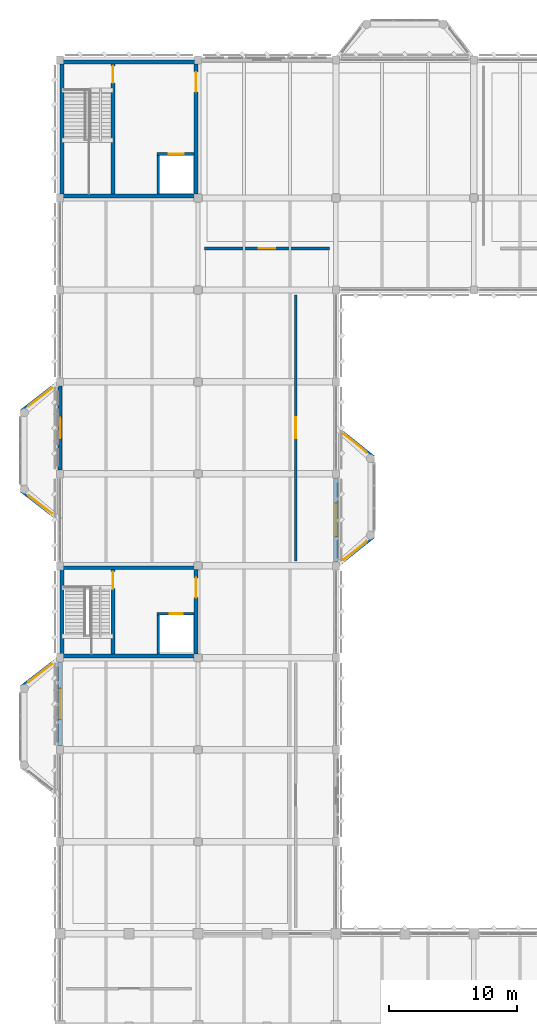
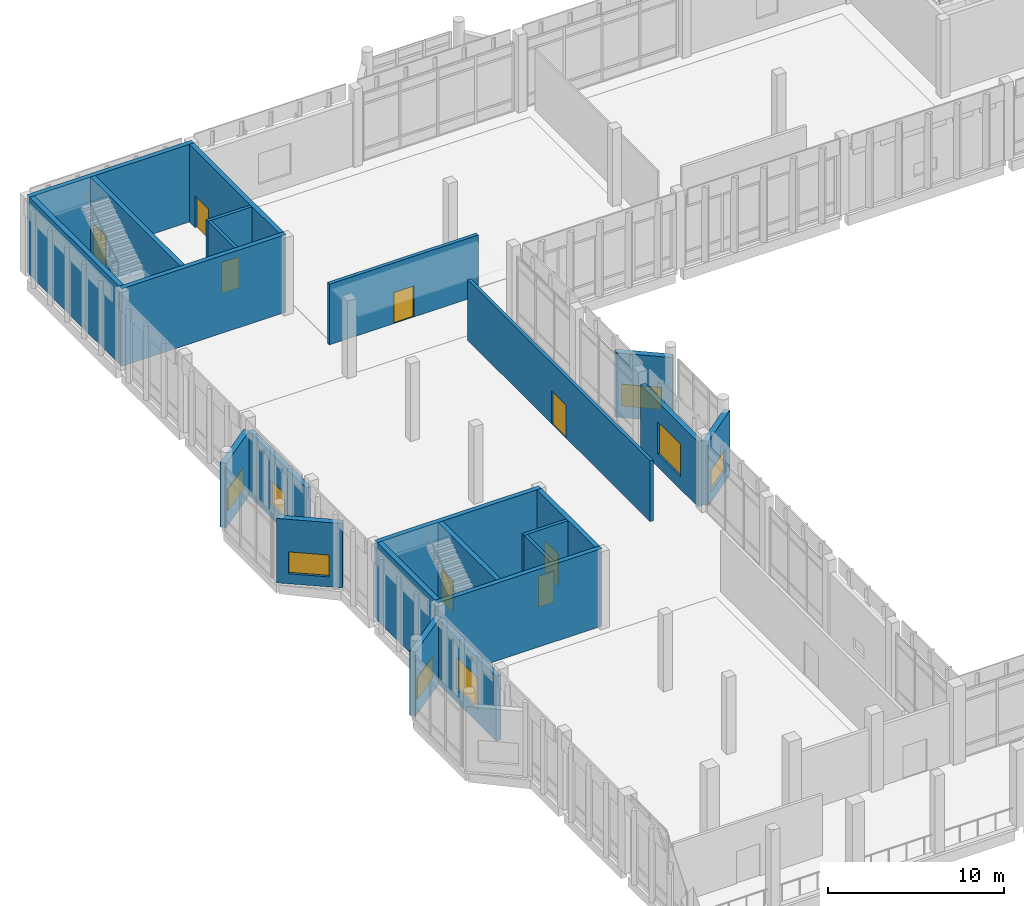
# One storey, part 158 of 180: 24 walls, 8 doors, 8 windows, 16 openings.
"""IFC4 building model written with IfcOpenShell, lengths in metres."""

from ifc_helpers import new_model, si_unit, direction, frame, frame_2d, origin, place, context, subcontext, project, spatial, rectangle, extrude, material, layer, layer_set, type_object, element, fill, save


model = new_model("IFC4")

# Units and contexts
model_context = context("Model", 3, precision=1e-05, world=origin(), true_north=direction((0.0, 1.0)))
body_context = subcontext(model_context, "Body", "Model", "MODEL_VIEW")
ifc_project = project(units=[si_unit("LENGTHUNIT", "METRE"), si_unit("AREAUNIT", "SQUARE_METRE"), si_unit("VOLUMEUNIT", "CUBIC_METRE"), si_unit("PLANEANGLEUNIT", "RADIAN"), si_unit("MASSUNIT", "GRAM", prefix="KILO")], contexts=[model_context])

# Site, building, storey
site_placement = place(None, origin())
site = spatial("IfcSite", under=ifc_project, at=site_placement, CompositionType="ELEMENT")
building_placement = place(site_placement, origin())
building = spatial("IfcBuilding", under=site, at=building_placement, Name="Lusvemor Sports Hall", CompositionType="ELEMENT")
storey_placement = place(building_placement, frame((0.0, 0.0, 5.39990234375)))
storey = spatial("IfcBuildingStorey", under=building, at=storey_placement, Name="L01", CompositionType="ELEMENT", Elevation=5.39990234375)

# Wall, opening, window
ifc_material_1 = material(Name="Emerald polychrome glazed ceramic cladding on Concrete C40/50 backing", Category="concrete")
ifc_layer_1 = layer(ifc_material_1, 0.364990234375)
ifc_layer_set_1 = layer_set([ifc_layer_1], Name="Emerald polychrome glazed ceramic cladding on Concrete C40/50 backing")
wall_type_1 = type_object("IfcWallType", Name="EW_WAVE_CER_365", PredefinedType="STANDARD", material=ifc_layer_set_1)
wall_1_placement = place(storey_placement, frame((-3.005126953125, 66.073486328125, 0.0), z_axis=(0.0, 0.0, 1.0), x_axis=(0.790740760184, 0.612151166122, 0.0)))
wall_1 = element("IfcWall", 1, at=wall_1_placement, inside=storey, type_object=wall_type_1, Name="Art Nouveau Bow Wall EW-BOW-W1-L01-3", PredefinedType="STANDARD", context=body_context, shape_type="SweptSolid", body=[
    extrude(rectangle(XDim=3.80029296875, YDim=0.364990234375, at=frame_2d((1.900146484375, 0.0))), origin(), (0.0, 0.0, 1.0), 4.47998046875),
])
opening_1_placement = place(wall_1_placement, frame((0.679931640625, 0.0, 0.699951171875)))
opening_1 = element("IfcOpeningElement", 2, at=opening_1_placement, cuts=wall_1, Name="Opening WN21", PredefinedType="OPENING", context=body_context, shape_type="SweptSolid", body=[
    extrude(rectangle(XDim=2.320068359375, YDim=1.52001953125, at=frame_2d((1.16015625, 0.760009765625))), frame((0.0, 0.1826171875, 0.0), z_axis=(0.0, -1.0, 0.0), x_axis=(1.0, 0.0, 0.0)), (0.0, 0.0, 1.0), 0.364990234375),
])
ifc_material_2 = material(Name="Solar-control laminated double glazing", Category="glass")
window_type_1 = type_object("IfcWindowType", Name="WIN_21", PartitioningType="SINGLE_PANEL", PredefinedType="WINDOW", material=ifc_material_2)
window_1_placement = place(opening_1_placement, origin())
window_1 = element("IfcWindow", 3, at=window_1_placement, inside=storey, type_object=window_type_1, Name="Art Nouveau Bow Window BOW-W1 L01-3", OverallHeight=1.52001953125, OverallWidth=2.320068359375, PartitioningType="SINGLE_PANEL", PredefinedType="WINDOW", context=body_context, shape_type="SweptSolid", body=[
    extrude(rectangle(XDim=2.320068359375, YDim=1.52001953125, at=frame_2d((1.16015625, 0.760009765625))), frame((0.0, 0.030029296875, 0.0), z_axis=(0.0, -1.0, 0.0), x_axis=(1.0, 0.0, 0.0)), (0.0, 0.0, 1.0), 0.06005859375),
])
fill(opening_1, window_1)

wall_2_placement = place(storey_placement, frame((-0.009765625, 79.20751953125, 0.0), z_axis=(0.0, 0.0, 1.0), x_axis=(-0.790710624982, 0.612190091018, 0.0)))
wall_2 = element("IfcWall", 4, at=wall_2_placement, inside=storey, type_object=wall_type_1, Name="Art Nouveau Bow Wall EW-BOW-W2-L01-1", PredefinedType="STANDARD", context=body_context, shape_type="SweptSolid", body=[
    extrude(rectangle(XDim=3.7880859375, YDim=0.364990234375, at=frame_2d((1.89404296875, 0.0))), origin(), (0.0, 0.0, 1.0), 4.47998046875),
])
opening_2_placement = place(wall_2_placement, frame((0.78759765625, 0.0, 0.699951171875)))
opening_2 = element("IfcOpeningElement", 5, at=opening_2_placement, cuts=wall_2, Name="Opening WN21", PredefinedType="OPENING", context=body_context, shape_type="SweptSolid", body=[
    extrude(rectangle(XDim=2.320068359375, YDim=1.52001953125, at=frame_2d((1.16015625, 0.760009765625))), frame((0.0, 0.1826171875, 0.0), z_axis=(0.0, -1.0, 0.0), x_axis=(1.0, 0.0, 0.0)), (0.0, 0.0, 1.0), 0.364990234375),
])
window_2_placement = place(opening_2_placement, origin())
window_2 = element("IfcWindow", 6, at=window_2_placement, inside=storey, type_object=window_type_1, Name="Art Nouveau Bow Window BOW-W2 L01-1", OverallHeight=1.52001953125, OverallWidth=2.320068359375, PartitioningType="SINGLE_PANEL", PredefinedType="WINDOW", context=body_context, shape_type="SweptSolid", body=[
    extrude(rectangle(XDim=2.320068359375, YDim=1.52001953125, at=frame_2d((1.16015625, 0.760009765625))), frame((0.0, 0.030029296875, 0.0), z_axis=(0.0, -1.0, 0.0), x_axis=(1.0, 0.0, 0.0)), (0.0, 0.0, 1.0), 0.06005859375),
])
fill(opening_2, window_2)

wall_3_placement = place(storey_placement, frame((-3.005126953125, 87.673583984375, 0.0), z_axis=(0.0, 0.0, 1.0), x_axis=(0.790756898757, 0.612130318696, 0.0)))
wall_3 = element("IfcWall", 7, at=wall_3_placement, inside=storey, type_object=wall_type_1, Name="Art Nouveau Bow Wall EW-BOW-W2-L01-3", PredefinedType="STANDARD", context=body_context, shape_type="SweptSolid", body=[
    extrude(rectangle(XDim=3.560302734375, YDim=0.364990234375, at=frame_2d((1.7802734375, 0.0))), origin(), (0.0, 0.0, 1.0), 4.47998046875),
])
opening_3_placement = place(wall_3_placement, frame((0.679931640625, 0.0, 0.699951171875)))
opening_3 = element("IfcOpeningElement", 8, at=opening_3_placement, cuts=wall_3, Name="Opening WN21", PredefinedType="OPENING", context=body_context, shape_type="SweptSolid", body=[
    extrude(rectangle(XDim=2.320068359375, YDim=1.52001953125, at=frame_2d((1.16015625, 0.760009765625))), frame((0.0, 0.1826171875, 0.0), z_axis=(0.0, -1.0, 0.0), x_axis=(1.0, 0.0, 0.0)), (0.0, 0.0, 1.0), 0.364990234375),
])
window_3_placement = place(opening_3_placement, origin())
window_3 = element("IfcWindow", 9, at=window_3_placement, inside=storey, type_object=window_type_1, Name="Art Nouveau Bow Window BOW-W2 L01-3", OverallHeight=1.52001953125, OverallWidth=2.320068359375, PartitioningType="SINGLE_PANEL", PredefinedType="WINDOW", context=body_context, shape_type="SweptSolid", body=[
    extrude(rectangle(XDim=2.320068359375, YDim=1.52001953125, at=frame_2d((1.16015625, 0.760009765625))), frame((0.0, 0.030029296875, 0.0), z_axis=(0.0, -1.0, 0.0), x_axis=(1.0, 0.0, 0.0)), (0.0, 0.0, 1.0), 0.06005859375),
])
fill(opening_3, window_3)

wall_4_placement = place(storey_placement, frame((21.896728515625, 86.16259765625, 0.0), z_axis=(0.0, 0.0, 1.0), x_axis=(0.780875936628, -0.62468613847, 0.0)))
wall_4 = element("IfcWall", 10, at=wall_4_placement, inside=storey, type_object=wall_type_1, Name="Art Nouveau Bow Wall EW-BOW-CT-L01-1", PredefinedType="STANDARD", context=body_context, shape_type="SweptSolid", body=[
    extrude(rectangle(XDim=3.341796875, YDim=0.364990234375, at=frame_2d((1.6708984375, 0.0))), origin(), (0.0, 0.0, 1.0), 4.47998046875),
])
opening_4_placement = place(wall_4_placement, frame((0.381103515625, 0.0, 0.699951171875)))
opening_4 = element("IfcOpeningElement", 11, at=opening_4_placement, cuts=wall_4, Name="Opening WN21", PredefinedType="OPENING", context=body_context, shape_type="SweptSolid", body=[
    extrude(rectangle(XDim=2.320068359375, YDim=1.52001953125, at=frame_2d((1.16015625, 0.760009765625))), frame((0.0, 0.1826171875, 0.0), z_axis=(0.0, -1.0, 0.0), x_axis=(1.0, 0.0, 0.0)), (0.0, 0.0, 1.0), 0.364990234375),
])
window_4_placement = place(opening_4_placement, origin())
window_4 = element("IfcWindow", 12, at=window_4_placement, inside=storey, type_object=window_type_1, Name="Art Nouveau Bow Window BOW-CT L01-1", OverallHeight=1.52001953125, OverallWidth=2.320068359375, PartitioningType="SINGLE_PANEL", PredefinedType="WINDOW", context=body_context, shape_type="SweptSolid", body=[
    extrude(rectangle(XDim=2.320068359375, YDim=1.52001953125, at=frame_2d((1.16015625, 0.760009765625))), frame((0.0, 0.030029296875, 0.0), z_axis=(0.0, -1.0, 0.0), x_axis=(1.0, 0.0, 0.0)), (0.0, 0.0, 1.0), 0.06005859375),
])
fill(opening_4, window_4)

wall_5_placement = place(storey_placement, frame((24.50634765625, 77.925048828125, 0.0), z_axis=(0.0, 0.0, 1.0), x_axis=(-0.780875936628, -0.62468613847, 0.0)))
wall_5 = element("IfcWall", 13, at=wall_5_placement, inside=storey, type_object=wall_type_1, Name="Art Nouveau Bow Wall EW-BOW-CT-L01-3", PredefinedType="STANDARD", context=body_context, shape_type="SweptSolid", body=[
    extrude(rectangle(XDim=3.341796875, YDim=0.364990234375, at=frame_2d((1.6708984375, 0.0))), origin(), (0.0, 0.0, 1.0), 4.47998046875),
])
opening_5_placement = place(wall_5_placement, frame((0.64111328125, 0.0, 0.699951171875)))
opening_5 = element("IfcOpeningElement", 14, at=opening_5_placement, cuts=wall_5, Name="Opening WN21", PredefinedType="OPENING", context=body_context, shape_type="SweptSolid", body=[
    extrude(rectangle(XDim=2.320068359375, YDim=1.52001953125, at=frame_2d((1.16015625, 0.760009765625))), frame((0.0, 0.1826171875, 0.0), z_axis=(0.0, -1.0, 0.0), x_axis=(1.0, 0.0, 0.0)), (0.0, 0.0, 1.0), 0.364990234375),
])
window_5_placement = place(opening_5_placement, origin())
window_5 = element("IfcWindow", 15, at=window_5_placement, inside=storey, type_object=window_type_1, Name="Art Nouveau Bow Window BOW-CT L01-3", OverallHeight=1.52001953125, OverallWidth=2.320068359375, PartitioningType="SINGLE_PANEL", PredefinedType="WINDOW", context=body_context, shape_type="SweptSolid", body=[
    extrude(rectangle(XDim=2.320068359375, YDim=1.52001953125, at=frame_2d((1.16015625, 0.760009765625))), frame((0.0, 0.030029296875, 0.0), z_axis=(0.0, -1.0, 0.0), x_axis=(1.0, 0.0, 0.0)), (0.0, 0.0, 1.0), 0.06005859375),
])
fill(opening_5, window_5)

ifc_material_3 = material(Name="Warm terracotta Art Nouveau ceramic cladding on Concrete C40/50 backing", Category="masonry")
ifc_layer_2 = layer(ifc_material_3, 0.31494140625)
ifc_layer_set_2 = layer_set([ifc_layer_2], Name="Warm terracotta Art Nouveau ceramic cladding on Concrete C40/50 backing")
wall_type_2 = type_object("IfcWallType", Name="EW_WING_CAV_315", PredefinedType="STANDARD", material=ifc_layer_set_2)
wall_6_placement = place(storey_placement, frame((0.0, 61.51611328125, 0.0), z_axis=(0.0, 0.0, 1.0), x_axis=(0.0, 1.0, 0.0)))
wall_6 = element("IfcWall", 16, at=wall_6_placement, inside=storey, type_object=wall_type_2, Name="Exterior Wall EW-L01-W-0-2", PredefinedType="STANDARD", context=body_context, shape_type="SweptSolid", body=[
    extrude(rectangle(XDim=6.56787109375, YDim=0.31494140625, at=frame_2d((3.283935546875, 0.0))), origin(), (0.0, 0.0, 1.0), 4.51513671875),
])
opening_6_placement = place(wall_6_placement, frame((2.073974609375, 0.0, 0.89990234375)))
opening_6 = element("IfcOpeningElement", 17, at=opening_6_placement, cuts=wall_6, Name="Opening WN08", PredefinedType="OPENING", context=body_context, shape_type="SweptSolid", body=[
    extrude(rectangle(XDim=2.419921875, YDim=2.219970703125, at=frame_2d((1.2099609375, 1.10986328125))), frame((0.0, 0.157470703125, 0.0), z_axis=(0.0, -1.0, 0.0), x_axis=(1.0, 0.0, 0.0)), (0.0, 0.0, 1.0), 0.31494140625),
])
ifc_material_4 = material(Name="Solar-control laminated double glazing", Category="glass")
window_type_2 = type_object("IfcWindowType", Name="WIN_08", PartitioningType="SINGLE_PANEL", PredefinedType="WINDOW", material=ifc_material_4)
window_6_placement = place(opening_6_placement, origin())
window_6 = element("IfcWindow", 18, at=window_6_placement, inside=storey, type_object=window_type_2, Name="Wing Window L01-W-0-2", OverallHeight=2.219970703125, OverallWidth=2.419921875, PartitioningType="SINGLE_PANEL", PredefinedType="WINDOW", context=body_context, shape_type="SweptSolid", body=[
    extrude(rectangle(XDim=2.419921875, YDim=2.219970703125, at=frame_2d((1.2099609375, 1.10986328125))), frame((0.0, 0.030029296875, 0.0), z_axis=(0.0, -1.0, 0.0), x_axis=(1.0, 0.0, 0.0)), (0.0, 0.0, 1.0), 0.06005859375),
])
fill(opening_6, window_6)

wall_7_placement = place(storey_placement, frame((0.0, 83.115966796875, 0.0), z_axis=(0.0, 0.0, 1.0), x_axis=(0.0, 1.0, 0.0)))
wall_7 = element("IfcWall", 19, at=wall_7_placement, inside=storey, type_object=wall_type_2, Name="Exterior Wall EW-L01-W-0-5", PredefinedType="STANDARD", context=body_context, shape_type="SweptSolid", body=[
    extrude(rectangle(XDim=6.568115234375, YDim=0.31494140625, at=frame_2d((3.2841796875, 0.0))), origin(), (0.0, 0.0, 1.0), 4.51513671875),
])
opening_7_placement = place(wall_7_placement, frame((2.47412109375, 0.0, 0.89990234375)))
opening_7 = element("IfcOpeningElement", 20, at=opening_7_placement, cuts=wall_7, Name="Opening WN11", PredefinedType="OPENING", context=body_context, shape_type="SweptSolid", body=[
    extrude(rectangle(XDim=1.6201171875, YDim=1.719970703125, at=frame_2d((0.81005859375, 0.85986328125))), frame((0.0, 0.157470703125, 0.0), z_axis=(0.0, -1.0, 0.0), x_axis=(1.0, 0.0, 0.0)), (0.0, 0.0, 1.0), 0.31494140625),
])
ifc_material_5 = material(Name="Solar-control laminated double glazing", Category="glass")
window_type_3 = type_object("IfcWindowType", Name="WIN_11", PartitioningType="SINGLE_PANEL", PredefinedType="WINDOW", material=ifc_material_5)
window_7_placement = place(opening_7_placement, origin())
window_7 = element("IfcWindow", 21, at=window_7_placement, inside=storey, type_object=window_type_3, Name="Wing Window L01-W-0-5", OverallHeight=1.719970703125, OverallWidth=1.6201171875, PartitioningType="SINGLE_PANEL", PredefinedType="WINDOW", context=body_context, shape_type="SweptSolid", body=[
    extrude(rectangle(XDim=1.6201171875, YDim=1.719970703125, at=frame_2d((0.81005859375, 0.85986328125))), frame((0.0, 0.030029296875, 0.0), z_axis=(0.0, -1.0, 0.0), x_axis=(1.0, 0.0, 0.0)), (0.0, 0.0, 1.0), 0.06005859375),
])
fill(opening_7, window_7)

wall_8_placement = place(storey_placement, frame((21.60009765625, 82.48388671875, 0.0), z_axis=(0.0, 0.0, 1.0), x_axis=(0.0, -1.0, 0.0)))
wall_8 = element("IfcWall", 22, at=wall_8_placement, inside=storey, type_object=wall_type_2, Name="Exterior Wall EW-L01-E-4-4", PredefinedType="STANDARD", context=body_context, shape_type="SweptSolid", body=[
    extrude(rectangle(XDim=6.56787109375, YDim=0.31494140625, at=frame_2d((3.283935546875, 0.0))), origin(), (0.0, 0.0, 1.0), 4.51513671875),
])
opening_8_placement = place(wall_8_placement, frame((1.97412109375, 0.0, 0.89990234375)))
opening_8 = element("IfcOpeningElement", 23, at=opening_8_placement, cuts=wall_8, Name="Opening WN18", PredefinedType="OPENING", context=body_context, shape_type="SweptSolid", body=[
    extrude(rectangle(XDim=2.6201171875, YDim=2.239990234375, at=frame_2d((1.31005859375, 1.1201171875))), frame((0.0, 0.157470703125, 0.0), z_axis=(0.0, -1.0, 0.0), x_axis=(1.0, 0.0, 0.0)), (0.0, 0.0, 1.0), 0.31494140625),
])
ifc_material_6 = material(Name="Solar-control laminated double glazing", Category="glass")
window_type_4 = type_object("IfcWindowType", Name="WIN_18", PartitioningType="SINGLE_PANEL", PredefinedType="WINDOW", material=ifc_material_6)
window_8_placement = place(opening_8_placement, origin())
window_8 = element("IfcWindow", 24, at=window_8_placement, inside=storey, type_object=window_type_4, Name="Wing Window L01-E-4-4", OverallHeight=2.239990234375, OverallWidth=2.6201171875, PartitioningType="SINGLE_PANEL", PredefinedType="WINDOW", context=body_context, shape_type="SweptSolid", body=[
    extrude(rectangle(XDim=2.6201171875, YDim=2.239990234375, at=frame_2d((1.31005859375, 1.1201171875))), frame((0.0, 0.030029296875, 0.0), z_axis=(0.0, -1.0, 0.0), x_axis=(1.0, 0.0, 0.0)), (0.0, 0.0, 1.0), 0.06005859375),
])
fill(opening_8, window_8)

# Wall, opening, door
ifc_material_7 = material(Name="Double-leaf acoustic gypsum board on metal studs")
ifc_layer_3 = layer(ifc_material_7, 0.199951171875)
ifc_layer_set_3 = layer_set([ifc_layer_3], Name="Double-leaf acoustic gypsum board on metal studs")
wall_type_3 = type_object("IfcWallType", Name="IW_ACOUST_202", PredefinedType="STANDARD", material=ifc_layer_set_3)
wall_9_placement = place(storey_placement, frame((18.449951171875, 76.0, 0.0), z_axis=(0.0, 0.0, 1.0), x_axis=(0.0, 1.0, 0.0)))
wall_9 = element("IfcWall", 25, at=wall_9_placement, inside=storey, type_object=wall_type_3, Name="Partition IW-L01-W-MART1", PredefinedType="STANDARD", context=body_context, shape_type="SweptSolid", body=[
    extrude(rectangle(XDim=20.800048828125, YDim=0.199951171875, at=frame_2d((10.39990234375, 0.0))), origin(), (0.0, 0.0, 1.0), 4.22021484375),
])
opening_9_placement = place(wall_9_placement, frame((9.580078125, 0.0, 0.0)))
opening_9 = element("IfcOpeningElement", 26, at=opening_9_placement, cuts=wall_9, Name="Opening ID20", PredefinedType="OPENING", context=body_context, shape_type="SweptSolid", body=[
    extrude(rectangle(XDim=1.639892578125, YDim=2.280029296875, at=frame_2d((0.81982421875, 1.14013671875))), frame((0.0, 0.10009765625, 0.0), z_axis=(0.0, -1.0, 0.0), x_axis=(1.0, 0.0, 0.0)), (0.0, 0.0, 1.0), 0.199951171875),
])
ifc_material_8 = material(Name="Acoustic solid-core hardwood door leaf in steel frame", Category="steel")
door_type_1 = type_object("IfcDoorType", Name="IDR_MART_164", OperationType="NOTDEFINED", PredefinedType="DOOR", material=ifc_material_8)
door_1_placement = place(opening_9_placement, origin())
door_1 = element("IfcDoor", 27, at=door_1_placement, inside=storey, type_object=door_type_1, Name="DR-178", OperationType="SINGLE_SWING_RIGHT", OverallHeight=2.280029296875, OverallWidth=1.639892578125, PredefinedType="DOOR", context=body_context, shape_type="SweptSolid", body=[
    extrude(rectangle(XDim=1.639892578125, YDim=2.280029296875, at=frame_2d((0.81982421875, 1.14013671875))), frame((0.0, 0.02490234375, 0.0), z_axis=(0.0, -1.0, 0.0), x_axis=(1.0, 0.0, 0.0)), (0.0, 0.0, 1.0), 0.050048828125),
])
fill(opening_9, door_1)

ifc_material_9 = material(Name="Concrete C40/50", Category="concrete")
ifc_layer_4 = layer(ifc_material_9, 0.2099609375)
ifc_layer_set_4 = layer_set([ifc_layer_4], Name="Concrete C40/50")
wall_type_4 = type_object("IfcWallType", Name="IW_SHFT_212", PredefinedType="STANDARD", material=ifc_layer_set_4)
wall_10_placement = place(storey_placement, frame((7.590087890625, 107.85009765625, 0.0), z_axis=(0.0, 0.0, 1.0), x_axis=(1.0, 0.0, 0.0)))
wall_10 = element("IfcWall", 28, at=wall_10_placement, inside=storey, type_object=wall_type_4, Name="Lift LF-01 Shaft Front Wall (L01)", PredefinedType="STANDARD", context=body_context, shape_type="SweptSolid", body=[
    extrude(rectangle(XDim=2.909912109375, YDim=0.2099609375, at=frame_2d((1.455078125, 0.0))), origin(), (0.0, 0.0, 1.0), 5.400146484375),
])
opening_10_placement = place(wall_10_placement, frame((0.93994140625, 0.0, 0.0)))
opening_10 = element("IfcOpeningElement", 29, at=opening_10_placement, cuts=wall_10, Name="Opening LD-01", PredefinedType="OPENING", context=body_context, shape_type="SweptSolid", body=[
    extrude(rectangle(XDim=1.139892578125, YDim=2.159912109375, at=frame_2d((0.56982421875, 1.080078125))), frame((0.0, 0.10498046875, 0.0), z_axis=(0.0, -1.0, 0.0), x_axis=(1.0, 0.0, 0.0)), (0.0, 0.0, 1.0), 0.2099609375),
])
ifc_material_10 = material(Name="Brushed stainless-steel sliding lift landing door", Category="steel")
door_type_2 = type_object("IfcDoorType", Name="LIFT_DOOR_FF_114", OperationType="NOTDEFINED", PredefinedType="DOOR", material=ifc_material_10)
door_2_placement = place(opening_10_placement, origin())
door_2 = element("IfcDoor", 30, at=door_2_placement, inside=storey, type_object=door_type_2, Name="DR-038", OperationType="SLIDING_TO_LEFT", OverallHeight=2.159912109375, OverallWidth=1.139892578125, PredefinedType="DOOR", context=body_context, shape_type="SweptSolid", body=[
    extrude(rectangle(XDim=1.139892578125, YDim=2.159912109375, at=frame_2d((0.56982421875, 1.080078125))), frame((0.0, 0.02490234375, 0.0), z_axis=(0.0, -1.0, 0.0), x_axis=(1.0, 0.0, 0.0)), (0.0, 0.0, 1.0), 0.050048828125),
])
fill(opening_10, door_2)

# Wall
wall_11_placement = place(storey_placement, frame((7.695068359375, 104.699951171875, 0.0), z_axis=(0.0, 0.0, 1.0), x_axis=(0.0, 1.0, 0.0)))
element("IfcWall", 31, at=wall_11_placement, inside=storey, type_object=wall_type_4, Name="Lift LF-01 Shaft Side Wall (L01)", PredefinedType="STANDARD", context=body_context, shape_type="SweptSolid", body=[
    extrude(rectangle(XDim=3.045166015625, YDim=0.2099609375, at=frame_2d((1.5224609375, 0.0))), origin(), (0.0, 0.0, 1.0), 5.400146484375),
])

# Wall, opening, door
wall_12_placement = place(storey_placement, frame((7.590087890625, 71.85009765625, 0.0), z_axis=(0.0, 0.0, 1.0), x_axis=(1.0, 0.0, 0.0)))
wall_12 = element("IfcWall", 32, at=wall_12_placement, inside=storey, type_object=wall_type_4, Name="Lift LP-02 Shaft Front Wall (L01)", PredefinedType="STANDARD", context=body_context, shape_type="SweptSolid", body=[
    extrude(rectangle(XDim=2.909912109375, YDim=0.2099609375, at=frame_2d((1.455078125, 0.0))), origin(), (0.0, 0.0, 1.0), 5.400146484375),
])
opening_11_placement = place(wall_12_placement, frame((0.989990234375, 0.0, 0.0)))
opening_11 = element("IfcOpeningElement", 33, at=opening_11_placement, cuts=wall_12, Name="Opening LD-02", PredefinedType="OPENING", context=body_context, shape_type="SweptSolid", body=[
    extrude(rectangle(XDim=1.0400390625, YDim=2.159912109375, at=frame_2d((0.52001953125, 1.080078125))), frame((0.0, 0.10498046875, 0.0), z_axis=(0.0, -1.0, 0.0), x_axis=(1.0, 0.0, 0.0)), (0.0, 0.0, 1.0), 0.2099609375),
])
ifc_material_11 = material(Name="Brushed stainless-steel sliding lift landing door", Category="steel")
door_type_3 = type_object("IfcDoorType", Name="LIFT_DOOR_PAX_104", OperationType="NOTDEFINED", PredefinedType="DOOR", material=ifc_material_11)
door_3_placement = place(opening_11_placement, origin())
door_3 = element("IfcDoor", 34, at=door_3_placement, inside=storey, type_object=door_type_3, Name="DR-069", OperationType="SLIDING_TO_LEFT", OverallHeight=2.159912109375, OverallWidth=1.0400390625, PredefinedType="DOOR", context=body_context, shape_type="SweptSolid", body=[
    extrude(rectangle(XDim=1.0400390625, YDim=2.159912109375, at=frame_2d((0.52001953125, 1.080078125))), frame((0.0, 0.02490234375, 0.0), z_axis=(0.0, -1.0, 0.0), x_axis=(1.0, 0.0, 0.0)), (0.0, 0.0, 1.0), 0.050048828125),
])
fill(opening_11, door_3)

# Wall
wall_13_placement = place(storey_placement, frame((7.695068359375, 68.699951171875, 0.0), z_axis=(0.0, 0.0, 1.0), x_axis=(0.0, 1.0, 0.0)))
element("IfcWall", 35, at=wall_13_placement, inside=storey, type_object=wall_type_4, Name="Lift LP-02 Shaft Side Wall (L01)", PredefinedType="STANDARD", context=body_context, shape_type="SweptSolid", body=[
    extrude(rectangle(XDim=3.045166015625, YDim=0.2099609375, at=frame_2d((1.5224609375, 0.0))), origin(), (0.0, 0.0, 1.0), 5.400146484375),
])

# Wall, opening, door
ifc_material_12 = material(Name="Moisture-resistant tiled plumbing service wall")
ifc_layer_5 = layer(ifc_material_12, 0.22998046875)
ifc_layer_set_5 = layer_set([ifc_layer_5], Name="Moisture-resistant tiled plumbing service wall")
wall_type_5 = type_object("IfcWallType", Name="PW_WET_234", PredefinedType="PLUMBINGWALL", material=ifc_layer_set_5)
wall_14_placement = place(storey_placement, frame((11.300048828125, 100.449951171875, 0.0), z_axis=(0.0, 0.0, 1.0), x_axis=(1.0, 0.0, 0.0)))
wall_14 = element("IfcWall", 36, at=wall_14_placement, inside=storey, type_object=wall_type_5, Name="Partition IW-L01-CNN-CHGN1", PredefinedType="PLUMBINGWALL", context=body_context, shape_type="SweptSolid", body=[
    extrude(rectangle(XDim=9.800048828125, YDim=0.22998046875, at=frame_2d((4.89990234375, 0.0))), origin(), (0.0, 0.0, 1.0), 4.22021484375),
])
opening_12_placement = place(wall_14_placement, frame((4.239990234375, 0.0, 0.0)))
opening_12 = element("IfcOpeningElement", 37, at=opening_12_placement, cuts=wall_14, Name="Opening ID09", PredefinedType="OPENING", context=body_context, shape_type="SweptSolid", body=[
    extrude(rectangle(XDim=1.320068359375, YDim=2.159912109375, at=frame_2d((0.66015625, 1.080078125))), frame((0.0, 0.114990234375, 0.0), z_axis=(0.0, -1.0, 0.0), x_axis=(1.0, 0.0, 0.0)), (0.0, 0.0, 1.0), 0.22998046875),
])
ifc_material_13 = material(Name="Acoustic solid-core hardwood door leaf in steel frame", Category="steel")
door_type_4 = type_object("IfcDoorType", Name="IDR_CHG_132", OperationType="NOTDEFINED", PredefinedType="DOOR", material=ifc_material_13)
door_4_placement = place(opening_12_placement, origin())
door_4 = element("IfcDoor", 38, at=door_4_placement, inside=storey, type_object=door_type_4, Name="DR-179", OperationType="SINGLE_SWING_LEFT", OverallHeight=2.159912109375, OverallWidth=1.320068359375, PredefinedType="DOOR", context=body_context, shape_type="SweptSolid", body=[
    extrude(rectangle(XDim=1.320068359375, YDim=2.159912109375, at=frame_2d((0.66015625, 1.080078125))), frame((0.0, 0.02490234375, 0.0), z_axis=(0.0, -1.0, 0.0), x_axis=(1.0, 0.0, 0.0)), (0.0, 0.0, 1.0), 0.050048828125),
])
fill(opening_12, door_4)

# Walls
ifc_material_14 = material(Name="Concrete C40/50", Category="concrete")
ifc_layer_6 = layer(ifc_material_14, 0.300048828125)
ifc_layer_set_6 = layer_set([ifc_layer_6], Name="Concrete C40/50")
wall_type_6 = type_object("IfcWallType", Name="WALL_CORE_300_INT", PredefinedType="SHEAR", material=ifc_layer_set_6)
for number, where, z_axis, x_axis, name in (
    (39, (10.800048828125, 104.550048828125, 0.0), (0.0, 0.0, 1.0), (-1.0, 0.0, 0.0), "Core C1 Northwest Shear Wall S (L01)"),
    (40, (0.0, 115.050048828125, 0.0), (0.0, 0.0, 1.0), (1.0, 0.0, 0.0), "Core C1 Northwest Shear Wall N (L01)"),
):
    element("IfcWall", number, at=place(storey_placement, frame(where, z_axis=z_axis, x_axis=x_axis)), inside=storey, type_object=wall_type_6, Name=name, PredefinedType="SHEAR", context=body_context, shape_type="SweptSolid", body=[
        extrude(rectangle(XDim=10.800048828125, YDim=0.300048828125, at=frame_2d((5.39990234375, 0.0))), origin(), (0.0, 0.0, 1.0), 5.400146484375),
    ])

# Wall, opening, door
wall_15_placement = place(storey_placement, frame((10.64990234375, 114.89990234375, 0.0), z_axis=(0.0, 0.0, 1.0), x_axis=(0.0, -1.0, 0.0)))
wall_15 = element("IfcWall", 41, at=wall_15_placement, inside=storey, type_object=wall_type_6, Name="Core C1 Northwest Shear Wall E (L01)", PredefinedType="SHEAR", context=body_context, shape_type="SweptSolid", body=[
    extrude(rectangle(XDim=10.199951171875, YDim=0.300048828125, at=frame_2d((5.10009765625, 0.0))), origin(), (0.0, 0.0, 1.0), 5.400146484375),
])
opening_13_placement = place(wall_15_placement, frame((0.64990234375, 0.0, 0.0)))
opening_13 = element("IfcOpeningElement", 42, at=opening_13_placement, cuts=wall_15, Name="Opening DR-FD60-01", PredefinedType="OPENING", context=body_context, shape_type="SweptSolid", body=[
    extrude(rectangle(XDim=1.5400390625, YDim=2.219970703125, at=frame_2d((0.77001953125, 1.10986328125))), frame((0.0, 0.14990234375, 0.0), z_axis=(0.0, -1.0, 0.0), x_axis=(1.0, 0.0, 0.0)), (0.0, 0.0, 1.0), 0.300048828125),
])
ifc_material_15 = material(Name="Fire-rated insulated painted steel door assembly", Category="steel")
door_type_5 = type_object("IfcDoorType", Name="IDR_LOBBY_FD60_154", OperationType="NOTDEFINED", PredefinedType="DOOR", material=ifc_material_15)
door_5_placement = place(opening_13_placement, origin())
door_5 = element("IfcDoor", 43, at=door_5_placement, inside=storey, type_object=door_type_5, Name="DR-045", OperationType="SINGLE_SWING_RIGHT", OverallHeight=2.219970703125, OverallWidth=1.5400390625, PredefinedType="DOOR", context=body_context, shape_type="SweptSolid", body=[
    extrude(rectangle(XDim=1.5400390625, YDim=2.219970703125, at=frame_2d((0.77001953125, 1.10986328125))), frame((0.0, 0.02490234375, 0.0), z_axis=(0.0, -1.0, 0.0), x_axis=(1.0, 0.0, 0.0)), (0.0, 0.0, 1.0), 0.050048828125),
])
fill(opening_13, door_5)

wall_16_placement = place(storey_placement, frame((4.14990234375, 104.699951171875, 0.0), z_axis=(0.0, 0.0, 1.0), x_axis=(0.0, 1.0, 0.0)))
wall_16 = element("IfcWall", 44, at=wall_16_placement, inside=storey, type_object=wall_type_6, Name="Core C1 Northwest Shear Wall M (L01)", PredefinedType="SHEAR", context=body_context, shape_type="SweptSolid", body=[
    extrude(rectangle(XDim=10.199951171875, YDim=0.300048828125, at=frame_2d((5.10009765625, 0.0))), origin(), (0.0, 0.0, 1.0), 5.400146484375),
])
opening_14_placement = place(wall_16_placement, frame((8.7099609375, 0.0, 0.0)))
opening_14 = element("IfcOpeningElement", 45, at=opening_14_placement, cuts=wall_16, Name="Opening DR-FD90-02", PredefinedType="OPENING", context=body_context, shape_type="SweptSolid", body=[
    extrude(rectangle(XDim=1.340087890625, YDim=2.179931640625, at=frame_2d((0.669921875, 1.08984375))), frame((0.0, 0.14990234375, 0.0), z_axis=(0.0, -1.0, 0.0), x_axis=(1.0, 0.0, 0.0)), (0.0, 0.0, 1.0), 0.300048828125),
])
ifc_material_16 = material(Name="Fire-rated insulated painted steel door assembly", Category="steel")
door_type_6 = type_object("IfcDoorType", Name="IDR_STAIR_FD90_134", OperationType="NOTDEFINED", PredefinedType="DOOR", material=ifc_material_16)
door_6_placement = place(opening_14_placement, origin())
door_6 = element("IfcDoor", 46, at=door_6_placement, inside=storey, type_object=door_type_6, Name="DR-044", OperationType="SINGLE_SWING_LEFT", OverallHeight=2.179931640625, OverallWidth=1.340087890625, PredefinedType="DOOR", context=body_context, shape_type="SweptSolid", body=[
    extrude(rectangle(XDim=1.340087890625, YDim=2.179931640625, at=frame_2d((0.669921875, 1.08984375))), frame((0.0, 0.02490234375, 0.0), z_axis=(0.0, -1.0, 0.0), x_axis=(1.0, 0.0, 0.0)), (0.0, 0.0, 1.0), 0.050048828125),
])
fill(opening_14, door_6)

# Walls
for number, where, z_axis, x_axis, name in (
    (47, (10.800048828125, 68.550048828125, 0.0), (0.0, 0.0, 1.0), (-1.0, 0.0, 0.0), "Core C3 West-Central Shear Wall S (L01)"),
    (48, (0.0, 75.449951171875, 0.0), (0.0, 0.0, 1.0), (1.0, 0.0, 0.0), "Core C3 West-Central Shear Wall N (L01)"),
):
    element("IfcWall", number, at=place(storey_placement, frame(where, z_axis=z_axis, x_axis=x_axis)), inside=storey, type_object=wall_type_6, Name=name, PredefinedType="SHEAR", context=body_context, shape_type="SweptSolid", body=[
        extrude(rectangle(XDim=10.800048828125, YDim=0.300048828125, at=frame_2d((5.39990234375, 0.0))), origin(), (0.0, 0.0, 1.0), 5.400146484375),
    ])

# Wall, opening, door
wall_17_placement = place(storey_placement, frame((10.64990234375, 75.300048828125, 0.0), z_axis=(0.0, 0.0, 1.0), x_axis=(0.0, -1.0, 0.0)))
wall_17 = element("IfcWall", 49, at=wall_17_placement, inside=storey, type_object=wall_type_6, Name="Core C3 West-Central Shear Wall E (L01)", PredefinedType="SHEAR", context=body_context, shape_type="SweptSolid", body=[
    extrude(rectangle(XDim=6.60009765625, YDim=0.300048828125, at=frame_2d((3.300048828125, 0.0))), origin(), (0.0, 0.0, 1.0), 5.400146484375),
])
opening_15_placement = place(wall_17_placement, frame((0.64990234375, 0.0, 0.0)))
opening_15 = element("IfcOpeningElement", 50, at=opening_15_placement, cuts=wall_17, Name="Opening DR-FD60-01", PredefinedType="OPENING", context=body_context, shape_type="SweptSolid", body=[
    extrude(rectangle(XDim=1.5400390625, YDim=2.219970703125, at=frame_2d((0.77001953125, 1.10986328125))), frame((0.0, 0.14990234375, 0.0), z_axis=(0.0, -1.0, 0.0), x_axis=(1.0, 0.0, 0.0)), (0.0, 0.0, 1.0), 0.300048828125),
])
door_7_placement = place(opening_15_placement, origin())
door_7 = element("IfcDoor", 51, at=door_7_placement, inside=storey, type_object=door_type_5, Name="DR-076", OperationType="SINGLE_SWING_LEFT", OverallHeight=2.219970703125, OverallWidth=1.5400390625, PredefinedType="DOOR", context=body_context, shape_type="SweptSolid", body=[
    extrude(rectangle(XDim=1.5400390625, YDim=2.219970703125, at=frame_2d((0.77001953125, 1.10986328125))), frame((0.0, 0.02490234375, 0.0), z_axis=(0.0, -1.0, 0.0), x_axis=(1.0, 0.0, 0.0)), (0.0, 0.0, 1.0), 0.050048828125),
])
fill(opening_15, door_7)

wall_18_placement = place(storey_placement, frame((4.14990234375, 68.699951171875, 0.0), z_axis=(0.0, 0.0, 1.0), x_axis=(0.0, 1.0, 0.0)))
wall_18 = element("IfcWall", 52, at=wall_18_placement, inside=storey, type_object=wall_type_6, Name="Core C3 West-Central Shear Wall M (L01)", PredefinedType="SHEAR", context=body_context, shape_type="SweptSolid", body=[
    extrude(rectangle(XDim=6.60009765625, YDim=0.300048828125, at=frame_2d((3.300048828125, 0.0))), origin(), (0.0, 0.0, 1.0), 5.400146484375),
])
opening_16_placement = place(wall_18_placement, frame((5.110107421875, 0.0, 0.0)))
opening_16 = element("IfcOpeningElement", 53, at=opening_16_placement, cuts=wall_18, Name="Opening DR-FD90-02", PredefinedType="OPENING", context=body_context, shape_type="SweptSolid", body=[
    extrude(rectangle(XDim=1.340087890625, YDim=2.179931640625, at=frame_2d((0.669921875, 1.08984375))), frame((0.0, 0.14990234375, 0.0), z_axis=(0.0, -1.0, 0.0), x_axis=(1.0, 0.0, 0.0)), (0.0, 0.0, 1.0), 0.300048828125),
])
door_8_placement = place(opening_16_placement, origin())
door_8 = element("IfcDoor", 54, at=door_8_placement, inside=storey, type_object=door_type_6, Name="DR-075", OperationType="SINGLE_SWING_RIGHT", OverallHeight=2.179931640625, OverallWidth=1.340087890625, PredefinedType="DOOR", context=body_context, shape_type="SweptSolid", body=[
    extrude(rectangle(XDim=1.340087890625, YDim=2.179931640625, at=frame_2d((0.669921875, 1.08984375))), frame((0.0, 0.02490234375, 0.0), z_axis=(0.0, -1.0, 0.0), x_axis=(1.0, 0.0, 0.0)), (0.0, 0.0, 1.0), 0.050048828125),
])
fill(opening_16, door_8)

# Walls
ifc_material_17 = material(Name="Concrete C40/50", Category="concrete")
ifc_layer_7 = layer(ifc_material_17, 0.324951171875)
ifc_layer_set_7 = layer_set([ifc_layer_7], Name="Concrete C40/50")
wall_type_7 = type_object("IfcWallType", Name="WALL_CORE_325_EXT", PredefinedType="SHEAR", material=ifc_layer_set_7)
wall_19_placement = place(storey_placement, frame((0.14990234375, 104.699951171875, 0.0), z_axis=(0.0, 0.0, 1.0), x_axis=(0.0, 1.0, 0.0)))
element("IfcWall", 55, at=wall_19_placement, inside=storey, type_object=wall_type_7, Name="Core C1 Northwest Shear Wall W (L01)", PredefinedType="SHEAR", context=body_context, shape_type="SweptSolid", body=[
    extrude(rectangle(XDim=10.199951171875, YDim=0.324951171875, at=frame_2d((5.10009765625, 0.0))), origin(), (0.0, 0.0, 1.0), 5.400146484375),
])
wall_20_placement = place(storey_placement, frame((0.14990234375, 68.699951171875, 0.0), z_axis=(0.0, 0.0, 1.0), x_axis=(0.0, 1.0, 0.0)))
element("IfcWall", 56, at=wall_20_placement, inside=storey, type_object=wall_type_7, Name="Core C3 West-Central Shear Wall W (L01)", PredefinedType="SHEAR", context=body_context, shape_type="SweptSolid", body=[
    extrude(rectangle(XDim=6.60009765625, YDim=0.324951171875, at=frame_2d((3.300048828125, 0.0))), origin(), (0.0, 0.0, 1.0), 5.400146484375),
])

save(model, "model.ifc")
